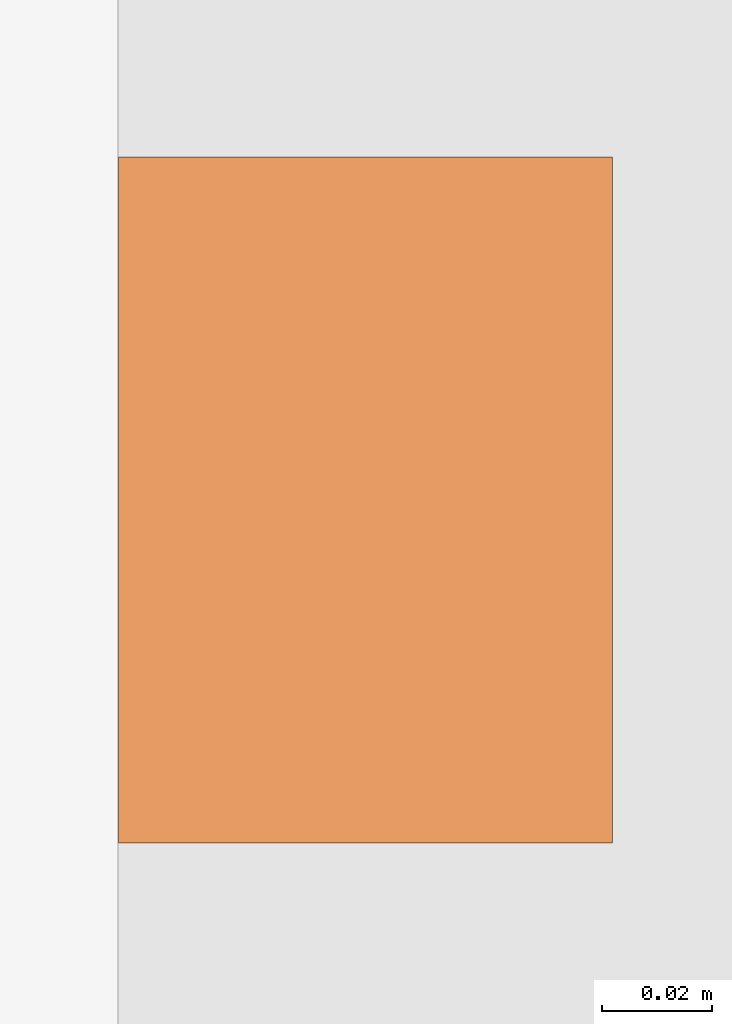
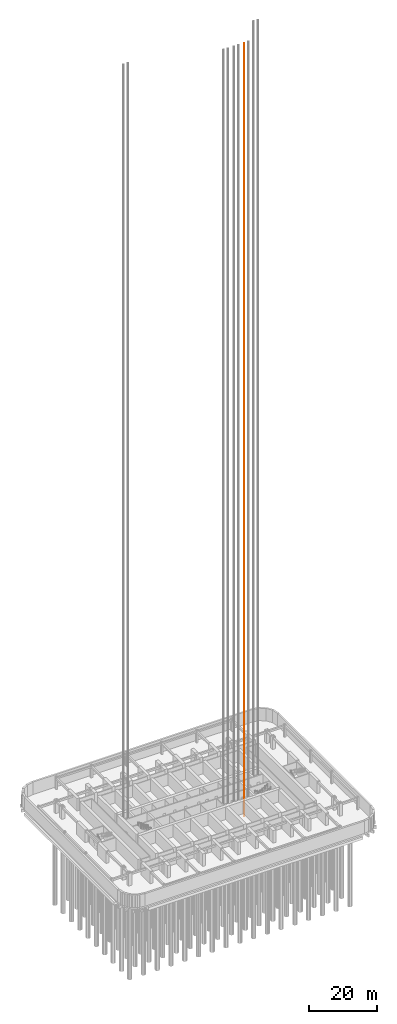
# One storey, part 23 of 28: 1 proxy.
"""IFC4 building model written with IfcOpenShell, lengths in metres."""

from ifc_helpers import new_model, si_unit, direction, frame, origin, origin_2d, place, context, subcontext, project, spatial, rectangle, extrude, material, element, save


model = new_model("IFC4")

# Units and contexts
model_context = context("Model", 3, precision=1e-05, world=origin(), true_north=direction((0.0, 1.0)))
body_context = subcontext(model_context, "Body", "Model", "MODEL_VIEW")
ifc_project = project(units=[si_unit("LENGTHUNIT", "METRE"), si_unit("AREAUNIT", "SQUARE_METRE"), si_unit("VOLUMEUNIT", "CUBIC_METRE"), si_unit("PLANEANGLEUNIT", "RADIAN"), si_unit("MASSUNIT", "GRAM", prefix="KILO")], contexts=[model_context])

# Site, building, storey
site_placement = place(None, origin())
site = spatial("IfcSite", under=ifc_project, at=site_placement, CompositionType="ELEMENT")
building_placement = place(site_placement, origin())
building = spatial("IfcBuilding", under=site, at=building_placement, Name="Orbita Commons", CompositionType="ELEMENT")
storey_placement = place(building_placement, frame((0.0, 0.0, -9.0)))
storey = spatial("IfcBuildingStorey", under=building, at=storey_placement, Name="L-02", CompositionType="ELEMENT", Elevation=-9.0)

# Proxy
ifc_material = material(Name="Machined steel guide rail", Category="steel")
placement = place(storey_placement, frame((56.2333984375, 28.10009765625, 0.0), z_axis=(0.0, 0.0, 1.0), x_axis=(1.0, 0.0, 0.0)))
proxy_placement = place(placement, frame((-0.7548828125, 0.0, -3.199951171875)))
element("IfcBuildingElementProxy", 1, at=proxy_placement, inside=storey, material=ifc_material, Name="SV3 guide rail 1", ObjectType="GUIDE RAIL", PredefinedType="USERDEFINED", context=body_context, shape_type="SweptSolid", body=[
    extrude(rectangle(XDim=0.09, YDim=0.125, at=origin_2d()), origin(), (0.0, 0.0, 1.0), 279.0),
])

save(model, "model.ifc")
